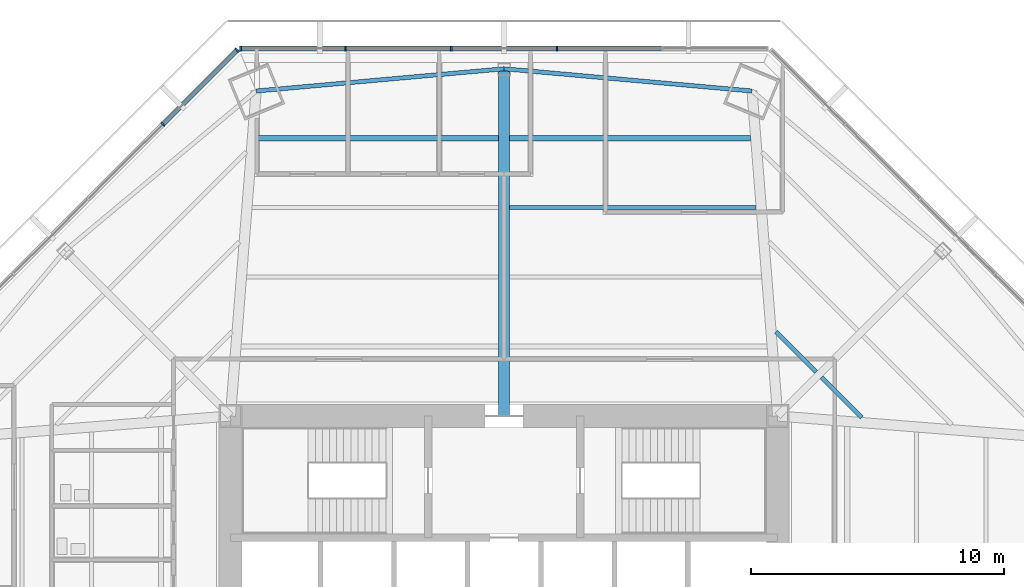
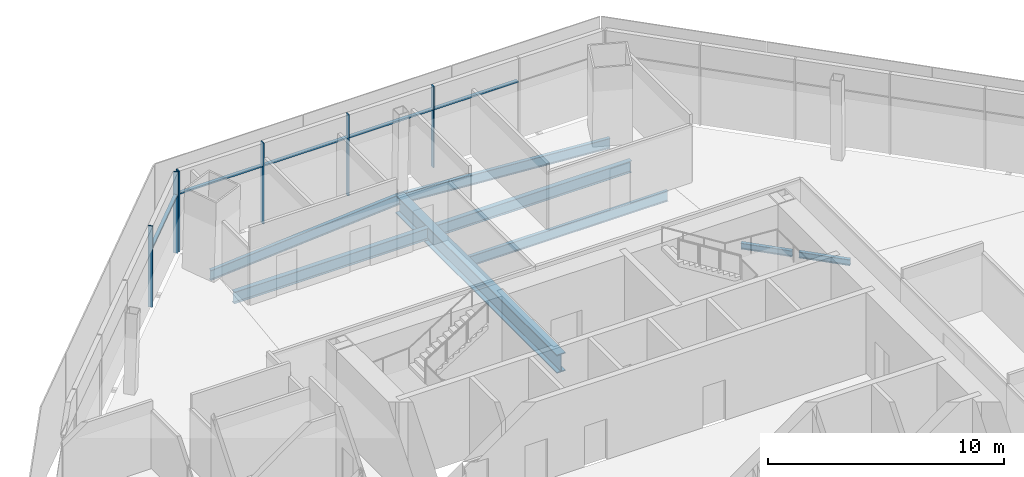
# One storey, part 6 of 16: 11 members, 8 beams, 2 elements without a shape of their own.
"""IFC4 building model written with IfcOpenShell, lengths in metres."""

from ifc_helpers import new_model, si_unit, direction, frame, origin, origin_2d, place, context, subcontext, project, spatial, rectangle, i_section, extrude, source, transform, mapped, material, material_profile, profile_set, type_object, type_shapes, element, aggregate, save


model = new_model("IFC4")

# Units and contexts
model_context = context("Model", 3, precision=1e-05, world=origin(), true_north=direction((0.0, 1.0)))
body_context = subcontext(model_context, "Body", "Model", "MODEL_VIEW")
ifc_project = project(units=[si_unit("LENGTHUNIT", "METRE"), si_unit("AREAUNIT", "SQUARE_METRE"), si_unit("VOLUMEUNIT", "CUBIC_METRE"), si_unit("PLANEANGLEUNIT", "RADIAN"), si_unit("MASSUNIT", "GRAM", prefix="KILO")], contexts=[model_context])

# Site, building, storey
site_placement = place(None, origin())
site = spatial("IfcSite", under=ifc_project, at=site_placement, CompositionType="ELEMENT")
building_placement = place(site_placement, origin())
building = spatial("IfcBuilding", under=site, at=building_placement, Name="Mashrafa Tower", CompositionType="ELEMENT")
storey_placement = place(building_placement, frame((0.0, 0.0, 96.0)))
storey = spatial("IfcBuildingStorey", under=building, at=storey_placement, Name="L21", CompositionType="ELEMENT", Elevation=96.0)

# Beams
ifc_material_1 = material(Name="Steel ASTM A992", Category="steel")
ifc_material_profile_1 = material_profile(ifc_material_1, i_section(OverallWidth=0.164794921875, OverallDepth=0.309814453125, WebThickness=0.005859375, FlangeThickness=0.009765625, FilletRadius=0.007568359375, at=origin_2d()), Name="W12X26")
ifc_profile_set_1 = profile_set([ifc_material_profile_1], Name="Steel ASTM A992")
beam_type_1 = type_object("IfcBeamType", Name="Beam W12X26", PredefinedType="BEAM", material=ifc_profile_set_1)
for number, where, z_axis, x_axis, name in (
    (1, (10.73828125, 14.125, -0.31982421875), (0.707106781187, -0.707106781187, 0.0), (0.707106781187, 0.707106781187, 0.0), "Floor beam L21 038"),
    (2, (12.534912109375, 12.328369140625, -0.31982421875), (0.707106781187, -0.707106781187, 0.0), (0.707106781187, 0.707106781187, 0.0), "Floor beam L21 041"),
):
    element("IfcBeam", number, at=place(storey_placement, frame(where, z_axis=z_axis, x_axis=x_axis)), inside=storey, type_object=beam_type_1, Name=name, PredefinedType="BEAM", context=body_context, shape_type="SweptSolid", body=[
        extrude(i_section(OverallWidth=0.164794921875, OverallDepth=0.309814453125, WebThickness=0.005859375, FlangeThickness=0.009765625, FilletRadius=0.007568359375, at=origin_2d()), origin(), (0.0, 0.0, 1.0), 2.248779296875),
    ])
ifc_material_2 = material(Name="Steel ASTM A992", Category="steel")
ifc_material_profile_2 = material_profile(ifc_material_2, i_section(OverallWidth=0.1650390625, OverallDepth=0.52587890625, WebThickness=0.0087890625, FlangeThickness=0.011474609375, FilletRadius=0.0126953125, at=origin_2d()), Name="W21X44")
ifc_profile_set_2 = profile_set([ifc_material_profile_2], Name="Steel ASTM A992")
beam_type_2 = type_object("IfcBeamType", Name="Beam W21X44", PredefinedType="BEAM", material=ifc_profile_set_2)
beam_1_placement = place(storey_placement, frame((0.212158203125, 19.022216796875, -0.427978515625), z_axis=(1.0, 0.0, 0.0), x_axis=(0.0, 1.0, 0.0)))
element("IfcBeam", 3, at=beam_1_placement, inside=storey, type_object=beam_type_2, Name="Floor beam L21 031", PredefinedType="BEAM", context=body_context, shape_type="SweptSolid", body=[
    extrude(i_section(OverallWidth=0.1650390625, OverallDepth=0.52587890625, WebThickness=0.0087890625, FlangeThickness=0.011474609375, FilletRadius=0.0126953125, at=origin_2d()), origin(), (0.0, 0.0, 1.0), 9.736328125),
])
ifc_material_3 = material(Name="Steel ASTM A992", Category="steel")
ifc_material_profile_3 = material_profile(ifc_material_3, i_section(OverallWidth=0.165771484375, OverallDepth=0.5283203125, WebThickness=0.009765625, FlangeThickness=0.013671875, FilletRadius=0.012939453125, at=origin_2d()), Name="W21X50")
ifc_profile_set_3 = profile_set([ifc_material_profile_3], Name="Steel ASTM A992")
beam_type_3 = type_object("IfcBeamType", Name="Beam W21X50", PredefinedType="BEAM", material=ifc_profile_set_3)
for number, where, z_axis, x_axis, name in (
    (4, (0.0, 24.503662109375, -0.42919921875), (-0.995997631902, -0.089379624328, 0.0), (0.089379624328, -0.995997631902, 0.0), "Spandrel beam L21 081"),
    (5, (9.785888671875, 23.62548828125, -0.42919921875), (-0.995997631902, 0.089379624328, 0.0), (-0.089379624328, -0.995997631902, 0.0), "Spandrel beam L21 083"),
):
    element("IfcBeam", number, at=place(storey_placement, frame(where, z_axis=z_axis, x_axis=x_axis)), inside=storey, type_object=beam_type_3, Name=name, PredefinedType="BEAM", context=body_context, shape_type="SweptSolid", body=[
        extrude(i_section(OverallWidth=0.165771484375, OverallDepth=0.5283203125, WebThickness=0.009765625, FlangeThickness=0.013671875, FilletRadius=0.012939453125, at=origin_2d()), origin(), (0.0, 0.0, 1.0), 9.8251953125),
    ])
ifc_material_4 = material(Name="Steel ASTM A992", Category="steel")
ifc_material_profile_4 = material_profile(ifc_material_4, i_section(OverallWidth=0.227783203125, OverallDepth=0.60205078125, WebThickness=0.010498046875, FlangeThickness=0.014892578125, FilletRadius=0.012939453125, at=origin_2d()), Name="W24X68")
ifc_profile_set_4 = profile_set([ifc_material_profile_4], Name="Steel ASTM A992")
beam_type_4 = type_object("IfcBeamType", Name="Beam W24X68", PredefinedType="BEAM", material=ifc_profile_set_4)
for number, where, z_axis, x_axis, name in (
    (6, (-9.73193359375, 21.762939453125, -0.466064453125), (1.0, 0.0, 0.0), (0.0, 1.0, 0.0), "Floor beam L21 024"),
    (7, (0.212158203125, 21.762939453125, -0.466064453125), (1.0, 0.0, 0.0), (0.0, 1.0, 0.0), "Floor beam L21 032"),
):
    element("IfcBeam", number, at=place(storey_placement, frame(where, z_axis=z_axis, x_axis=x_axis)), inside=storey, type_object=beam_type_4, Name=name, PredefinedType="BEAM", context=body_context, shape_type="SweptSolid", body=[
        extrude(i_section(OverallWidth=0.227783203125, OverallDepth=0.60205078125, WebThickness=0.010498046875, FlangeThickness=0.014892578125, FilletRadius=0.012939453125, at=origin_2d()), origin(), (0.0, 0.0, 1.0), 9.519775390625),
    ])
ifc_material_5 = material(Name="Steel ASTM A992", Category="steel")
ifc_material_profile_5 = material_profile(ifc_material_5, i_section(OverallWidth=0.424072265625, OverallDepth=0.960205078125, WebThickness=0.028564453125, FlangeThickness=0.051025390625, FilletRadius=0.02001953125, at=origin_2d()), Name="W36X361")
ifc_profile_set_5 = profile_set([ifc_material_profile_5], Name="Steel ASTM A992")
beam_type_5 = type_object("IfcBeamType", Name="Beam W36X361", PredefinedType="BEAM", material=ifc_profile_set_5)
beam_2_placement = place(storey_placement, frame((0.0, 10.800048828125, -0.64501953125), z_axis=(0.0, 1.0, 0.0), x_axis=(-1.0, 0.0, 0.0)))
element("IfcBeam", 8, at=beam_2_placement, inside=storey, type_object=beam_type_5, Name="Radial girder L21 065", PredefinedType="BEAM", context=body_context, shape_type="SweptSolid", body=[
    extrude(i_section(OverallWidth=0.424072265625, OverallDepth=0.960205078125, WebThickness=0.028564453125, FlangeThickness=0.051025390625, FilletRadius=0.02001953125, at=origin_2d()), origin(), (0.0, 0.0, 1.0), 13.70361328125),
])

# Curtain wall, members
ifc_material_6 = material(Name="Unitised aluminium curtain wall", Category="aluminium")
curtain_wall_type = type_object("IfcCurtainWallType", Name="Office curtain wall, zone 1 CW-A 200 deep", PredefinedType="NOTDEFINED", material=ifc_material_6)
curtain_wall_1_placement = place(storey_placement, origin())
curtain_wall_1 = element("IfcCurtainWall", 9, at=curtain_wall_1_placement, inside=storey, type_object=curtain_wall_type, Name="Office curtain wall, zone 1 L21 north", PredefinedType="NOTDEFINED")
ifc_material_7 = material(Name="Extruded aluminium mullion", Category="aluminium")
ifc_material_profile_6 = material_profile(ifc_material_7, rectangle(XDim=0.199951171875, YDim=0.06494140625, at=origin_2d()), Name="Mullion 65x200")
ifc_profile_set_6 = profile_set([ifc_material_profile_6], Name="Extruded aluminium mullion")
member_type_1 = type_object("IfcMemberType", Name="Mullion CW-A 65 x 200", PredefinedType="MULLION", material=ifc_profile_set_6)
shared_shape_1 = source(origin(), body_context, "Body", "SweptSolid", [
    extrude(rectangle(XDim=0.199951171875, YDim=0.06494140625, at=origin_2d()), origin(), (0.0, 0.0, 1.0), 4.199951171875),
])
type_shapes(member_type_1, [shared_shape_1])
member_1_placement = place(storey_placement, frame((2.08544921875, 25.299072265625, 0.0), z_axis=(0.0, 0.0, 1.0), x_axis=(0.0, -1.0, 0.0)))
member_1 = element("IfcMember", 10, at=member_1_placement, type_object=member_type_1, Name="CW-A mullion 3", PredefinedType="MULLION", context=body_context, shape_type="MappedRepresentation", body=[
    mapped(shared_shape_1, transform((0.0, 0.0, 0.0))),
])
member_2_placement = place(storey_placement, frame((-2.08544921875, 25.299072265625, 0.0), z_axis=(0.0, 0.0, 1.0), x_axis=(0.0, -1.0, 0.0)))
member_2 = element("IfcMember", 11, at=member_2_placement, type_object=member_type_1, Name="CW-A mullion 4", PredefinedType="MULLION", context=body_context, shape_type="MappedRepresentation", body=[
    mapped(shared_shape_1, transform((0.0, 0.0, 0.0))),
])
member_3_placement = place(storey_placement, frame((-6.256591796875, 25.299072265625, 0.0), z_axis=(0.0, 0.0, 1.0), x_axis=(0.0, -1.0, 0.0)))
member_3 = element("IfcMember", 12, at=member_3_placement, type_object=member_type_1, Name="CW-A mullion 5", PredefinedType="MULLION", context=body_context, shape_type="MappedRepresentation", body=[
    mapped(shared_shape_1, transform((0.0, 0.0, 0.0))),
])
member_4_placement = place(storey_placement, frame((-10.395263671875, 25.299072265625, 0.0), z_axis=(0.0, 0.0, 1.0), x_axis=(0.0, -1.0, 0.0)))
member_4 = element("IfcMember", 13, at=member_4_placement, type_object=member_type_1, Name="CW-A mullion 6", PredefinedType="MULLION", context=body_context, shape_type="MappedRepresentation", body=[
    mapped(shared_shape_1, transform((0.0, 0.0, 0.0))),
])

curtain_wall_2_placement = place(storey_placement, origin())
curtain_wall_2 = element("IfcCurtainWall", 14, at=curtain_wall_2_placement, inside=storey, type_object=curtain_wall_type, Name="Office curtain wall, zone 1 L21 north-west", PredefinedType="NOTDEFINED")
member_5_placement = place(storey_placement, frame((-10.53857421875, 25.23974609375, 0.0), z_axis=(0.0, 0.0, 1.0), x_axis=(0.707106781187, -0.707106781187, 0.0)))
member_5 = element("IfcMember", 15, at=member_5_placement, type_object=member_type_1, Name="CW-A mullion 1", PredefinedType="MULLION", context=body_context, shape_type="MappedRepresentation", body=[
    mapped(shared_shape_1, transform((0.0, 0.0, 0.0))),
])
member_6_placement = place(storey_placement, frame((-13.465087890625, 22.313232421875, 0.0), z_axis=(0.0, 0.0, 1.0), x_axis=(0.707106781187, -0.707106781187, 0.0)))
member_6 = element("IfcMember", 16, at=member_6_placement, type_object=member_type_1, Name="CW-A mullion 2", PredefinedType="MULLION", context=body_context, shape_type="MappedRepresentation", body=[
    mapped(shared_shape_1, transform((0.0, 0.0, 0.0))),
])

# Member
ifc_material_8 = material(Name="Extruded aluminium transom", Category="aluminium")
ifc_material_profile_7 = material_profile(ifc_material_8, rectangle(XDim=0.159912109375, YDim=0.080078125, at=origin_2d()), Name="Transom 80x160")
ifc_profile_set_7 = profile_set([ifc_material_profile_7], Name="Extruded aluminium transom")
member_type_2 = type_object("IfcMemberType", Name="Transom CW-A 80 x 160", PredefinedType="MULLION", material=ifc_profile_set_7)
shared_shape_2 = source(origin(), body_context, "Body", "SweptSolid", [
    extrude(rectangle(XDim=0.159912109375, YDim=0.080078125, at=origin_2d()), origin(), (0.0, 0.0, 1.0), 4.07373046875),
])
member_7_placement = place(storey_placement, frame((-6.2890625, 25.299072265625, 3.0), z_axis=(-1.0, 0.0, 0.0), x_axis=(0.0, -1.0, 0.0)))
member_7 = element("IfcMember", 17, at=member_7_placement, type_object=member_type_2, Name="CW-A transom 5", PredefinedType="MULLION", context=body_context, shape_type="MappedRepresentation", body=[
    mapped(shared_shape_2, transform((0.0, 0.0, 0.0))),
])

member_8_placement = place(storey_placement, frame((-10.5615234375, 25.216796875, 3.0), z_axis=(-0.707076814591, -0.707136746513, 0.0), x_axis=(0.707136746513, -0.707076814591, 0.0)))
member_8 = element("IfcMember", 18, at=member_8_placement, type_object=member_type_2, Name="CW-A transom 1", PredefinedType="MULLION", context=body_context, shape_type="MappedRepresentation", body=[
    mapped(shared_shape_2, transform((0.0, 0.0, 0.0))),
])

aggregate(curtain_wall_2, [member_5, member_6, member_8])

shared_shape_3 = source(origin(), body_context, "Body", "SweptSolid", [
    extrude(rectangle(XDim=0.159912109375, YDim=0.080078125, at=origin_2d()), origin(), (0.0, 0.0, 1.0), 4.10595703125),
])
type_shapes(member_type_2, [shared_shape_2, shared_shape_3])
member_9_placement = place(storey_placement, frame((6.22412109375, 25.299072265625, 3.0), z_axis=(-1.0, 0.0, 0.0), x_axis=(0.0, -1.0, 0.0)))
member_9 = element("IfcMember", 19, at=member_9_placement, type_object=member_type_2, Name="CW-A transom 2", PredefinedType="MULLION", context=body_context, shape_type="MappedRepresentation", body=[
    mapped(shared_shape_3, transform((0.0, 0.0, 0.0))),
])

member_10_placement = place(storey_placement, frame((2.052978515625, 25.299072265625, 3.0), z_axis=(-1.0, 0.0, 0.0), x_axis=(0.0, -1.0, 0.0)))
member_10 = element("IfcMember", 20, at=member_10_placement, type_object=member_type_2, Name="CW-A transom 3", PredefinedType="MULLION", context=body_context, shape_type="MappedRepresentation", body=[
    mapped(shared_shape_3, transform((0.0, 0.0, 0.0))),
])

member_11_placement = place(storey_placement, frame((-2.1181640625, 25.299072265625, 3.0), z_axis=(-1.0, 0.0, 0.0), x_axis=(0.0, -1.0, 0.0)))
member_11 = element("IfcMember", 21, at=member_11_placement, type_object=member_type_2, Name="CW-A transom 4", PredefinedType="MULLION", context=body_context, shape_type="MappedRepresentation", body=[
    mapped(shared_shape_3, transform((0.0, 0.0, 0.0))),
])

aggregate(curtain_wall_1, [member_1, member_2, member_3, member_4, member_9, member_10, member_11, member_7])

save(model, "model.ifc")
